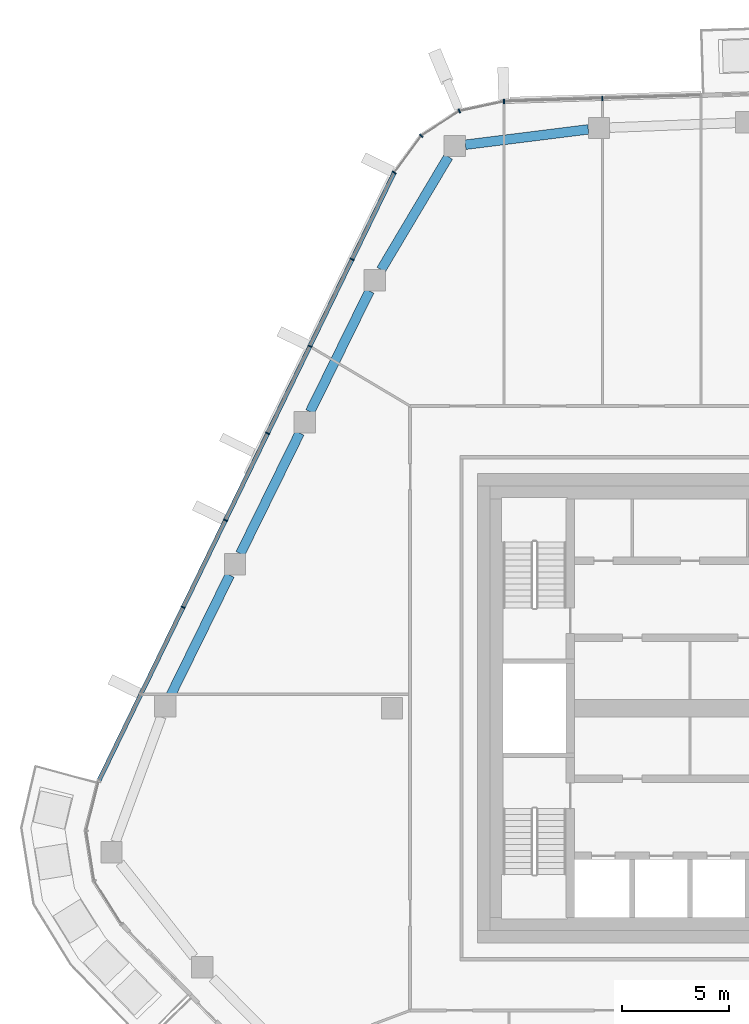
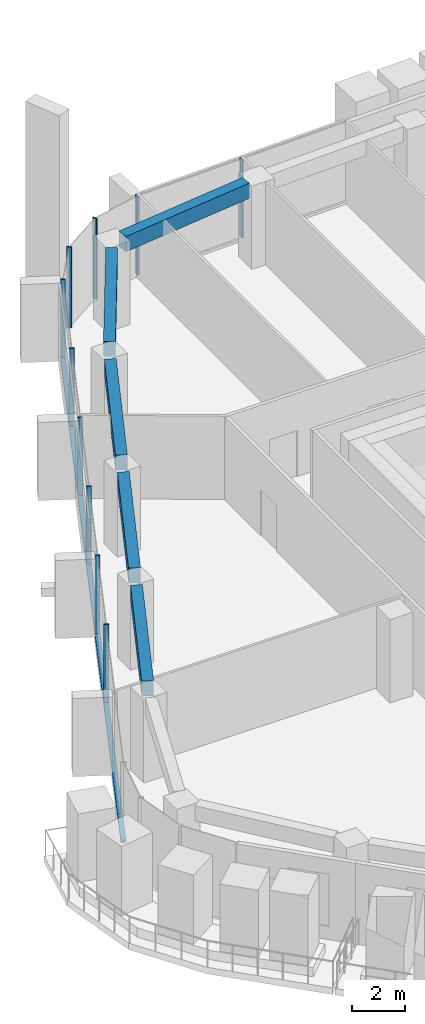
# One storey, part 6 of 24: 11 members, 5 beams, 3 elements without a shape of their own.
"""IFC4 building model written with IfcOpenShell, lengths in metres."""

import ifcopenshell
import ifcopenshell.guid

model = None  # the IFC model being written
_history = None  # IfcOwnerHistory: only IFC2X3 demands one
_inside = {}  # id of a spatial element -> (the spatial element, [elements in it])
_under = {}  # id of a project, library or spatial element -> (it, [spatial elements below it])
_declared = {}  # id of a project -> (the project, [libraries it declares])
_typed = {}  # id of a type object -> (the type object, [elements of that type])
_made_of = {}  # id of a material, layer set ... -> (it, [elements and type objects made of it])


def new_model(schema):
    """Start an empty IFC model of exactly this schema.

    Asked for "IFC4X3", IfcOpenShell would pick the latest addendum, in which some entities
    have other attributes; the version numbers below select the first issue.
    IFC2X3 requires an IfcOwnerHistory on every rooted entity: one is made here for all.
    """
    global model, _history
    if schema == "IFC4X3":
        model = ifcopenshell.file(schema_version=(4, 3, 0, 0))
    else:
        model = ifcopenshell.file(schema=schema)
    _inside.clear()
    _under.clear()
    _declared.clear()
    _typed.clear()
    _made_of.clear()
    _history = None
    if model.schema == "IFC2X3":
        org = make("IfcOrganization", Name="unknown")
        user = make(
            "IfcPersonAndOrganization",
            ThePerson=make("IfcPerson", FamilyName="unknown"),
            TheOrganization=org,
        )
        app = make(
            "IfcApplication",
            ApplicationDeveloper=org,
            Version="unknown",
            ApplicationFullName="unknown",
            ApplicationIdentifier="unknown",
        )
        _history = make(
            "IfcOwnerHistory",
            OwningUser=user,
            OwningApplication=app,
            ChangeAction="ADDED",
            CreationDate=0,
        )
    return model


def make(cls, **values):
    """One entity of the class cls with the attributes given. An attribute that is None is left unset."""
    return model.create_entity(
        cls, **{name: value for name, value in values.items() if value is not None}
    )


def rooted(cls, **values):
    """An entity with a GlobalId (a new one), such as an element, a storey or a relation."""
    return make(cls, GlobalId=ifcopenshell.guid.new(), OwnerHistory=_history, **values)


def si_unit(unit_type, name, prefix=None):
    """IfcSIUnit, for example si_unit("LENGTHUNIT", "METRE", prefix="MILLI")."""
    return make("IfcSIUnit", UnitType=unit_type, Prefix=prefix, Name=name)


def assignment(units):
    """IfcUnitAssignment: the units of a project."""
    return None if units is None else make("IfcUnitAssignment", Units=units)


def point(xyz):
    """IfcCartesianPoint."""
    return None if xyz is None else make("IfcCartesianPoint", Coordinates=xyz)


def direction(xyz):
    """IfcDirection."""
    return None if xyz is None else make("IfcDirection", DirectionRatios=xyz)


def frame(location, z_axis=None, x_axis=None):
    """IfcAxis2Placement3D, a coordinate frame: its origin and axes. An axis left out is left unset."""
    return make(
        "IfcAxis2Placement3D",
        Location=point(location),
        Axis=direction(z_axis),
        RefDirection=direction(x_axis),
    )


def frame_2d(location, x_axis=None):
    """IfcAxis2Placement2D, a coordinate frame in the plane: its origin and x axis."""
    return make(
        "IfcAxis2Placement2D", Location=point(location), RefDirection=direction(x_axis)
    )


def origin():
    """The frame at (0, 0, 0) with its axes left unset."""
    return frame((0.0, 0.0, 0.0))


def origin_2d():
    """The frame at (0, 0) in the plane with its x axis left unset."""
    return frame_2d((0.0, 0.0))


def place(relative_to, where):
    """IfcLocalPlacement: puts the frame where relative to a parent placement (None: the world)."""
    return make(
        "IfcLocalPlacement", PlacementRelTo=relative_to, RelativePlacement=where
    )


def context(
    kind, dimensions, precision=None, world=None, true_north=None, identifier=None
):
    """IfcGeometricRepresentationContext, for example the 3D "Model" context."""
    return make(
        "IfcGeometricRepresentationContext",
        ContextIdentifier=identifier,
        ContextType=kind,
        CoordinateSpaceDimension=dimensions,
        Precision=precision,
        WorldCoordinateSystem=world,
        TrueNorth=true_north,
    )


def subcontext(parent, identifier, kind, view, scale=None):
    """IfcGeometricRepresentationSubContext, for example "Body" below "Model"."""
    return make(
        "IfcGeometricRepresentationSubContext",
        ContextIdentifier=identifier,
        ContextType=kind,
        ParentContext=parent,
        TargetScale=scale,
        TargetView=view,
    )


def project(units=None, contexts=None):
    """IfcProject with its units and contexts."""
    return rooted(
        "IfcProject",
        Name="project",
        RepresentationContexts=contexts,
        UnitsInContext=assignment(units),
    )


def spatial(cls, under=None, at=None, **own):
    """A site, building, storey or space (cls), placed at a placement, below another one or the project."""
    s = rooted(cls, ObjectPlacement=at, **own)
    if under is not None:
        _under.setdefault(under.id(), (under, []))[1].append(s)
    return s


def profile(cls, at=None, kind="AREA", **sizes):
    """A parametric profile (cls). Its sizes go by their IFC names, for example OverallWidth=200.0."""
    return make(cls, ProfileType=kind, Position=at, **sizes)


def rectangle(**sizes):
    """IfcRectangleProfileDef."""
    return profile("IfcRectangleProfileDef", **sizes)


def extrude(swept, where, along, depth):
    """IfcExtrudedAreaSolid: the profile swept, set in the frame where, extruded along a direction by depth."""
    return make(
        "IfcExtrudedAreaSolid",
        SweptArea=swept,
        Position=where,
        ExtrudedDirection=direction(along),
        Depth=depth,
    )


def shape(context_of_items, identifier, shape_type, items):
    """IfcShapeRepresentation: the items that make up one representation, for example the "Body"."""
    return make(
        "IfcShapeRepresentation",
        ContextOfItems=context_of_items,
        RepresentationIdentifier=identifier,
        RepresentationType=shape_type,
        Items=items,
    )


def material(Name=None, Category=None):
    """IfcMaterial."""
    return make("IfcMaterial", Name=Name, Category=Category)


def layer(
    of_material, thickness, ventilated=None, Name=None, Category=None, Priority=None
):
    """IfcMaterialLayer: one layer of a wall or slab, of a material (None: an air gap)."""
    return make(
        "IfcMaterialLayer",
        Material=of_material,
        LayerThickness=thickness,
        IsVentilated=ventilated,
        Name=Name,
        Category=Category,
        Priority=Priority,
    )


def layer_set(layers, Name=None):
    """IfcMaterialLayerSet."""
    return make("IfcMaterialLayerSet", MaterialLayers=layers, LayerSetName=Name)


def material_profile(
    of_material, cross_section, Name=None, Category=None, Priority=None
):
    """IfcMaterialProfile: a cross section and its material."""
    return make(
        "IfcMaterialProfile",
        Name=Name,
        Material=of_material,
        Profile=cross_section,
        Priority=Priority,
        Category=Category,
    )


def profile_set(profiles, Name=None, composite=None):
    """IfcMaterialProfileSet."""
    return make(
        "IfcMaterialProfileSet",
        Name=Name,
        MaterialProfiles=profiles,
        CompositeProfile=composite,
    )


def made_of(thing, what):
    """Note that an element or type object is made of a material, layer set ...; save() writes the relation."""
    if what is not None:
        _made_of.setdefault(what.id(), (what, []))[1].append(thing)
    return thing


def type_object(cls, material=None, **own):
    """A type object (cls), such as IfcWallType, which elements share."""
    return made_of(rooted(cls, **own), material)


def element(
    cls,
    number,
    at=None,
    inside=None,
    cuts=None,
    type_object=None,
    material=None,
    context=None,
    identifier="Body",
    shape_type=None,
    held_by="IfcProductDefinitionShape",
    body=None,
    shapes=None,
    **own,
):
    """One element of the class cls, such as IfcWall. Its Tag is "e" and its number.

    at: its placement. inside: the storey or other place that contains it. cuts: it is an
    opening in that element (IfcRelVoidsElement). A single representation is given by context,
    identifier, shape_type and body (its items); several are given by shapes. held_by: the class
    of the entity that holds the representations. save() writes the other relations.
    """
    e = rooted(cls, Tag="e%d" % number, ObjectPlacement=at, **own)
    if body is not None:
        shapes = [shape(context, identifier, shape_type, body)]
    if shapes is not None:
        e.Representation = make(held_by, Representations=shapes)
    if inside is not None:
        _inside.setdefault(inside.id(), (inside, []))[1].append(e)
    if cuts is not None:
        rooted(
            "IfcRelVoidsElement", RelatingBuildingElement=cuts, RelatedOpeningElement=e
        )
    if type_object is not None:
        _typed.setdefault(type_object.id(), (type_object, []))[1].append(e)
    return made_of(e, material)


def aggregate(whole, parts):
    """IfcRelAggregates: a whole, such as a stair, and the parts it consists of."""
    return rooted("IfcRelAggregates", RelatingObject=whole, RelatedObjects=parts)


def save(model, path):
    """Write the relations noted so far, then the file.

    IfcRelAggregates (storeys below a building ...), IfcRelContainedInSpatialStructure (elements
    in a storey), IfcRelDefinesByType, IfcRelAssociatesMaterial and IfcRelDeclares: one each for
    every whole, place, type object, material and project.
    """
    for whole, parts in _under.values():
        aggregate(whole, parts)
    for where, things in _inside.values():
        rooted(
            "IfcRelContainedInSpatialStructure",
            RelatedElements=things,
            RelatingStructure=where,
        )
    for kind, things in _typed.values():
        rooted("IfcRelDefinesByType", RelatedObjects=things, RelatingType=kind)
    for what, things in _made_of.values():
        rooted("IfcRelAssociatesMaterial", RelatedObjects=things, RelatingMaterial=what)
    for by, libraries in _declared.values():
        rooted("IfcRelDeclares", RelatingContext=by, RelatedDefinitions=libraries)
    model.write(path)


model = new_model("IFC4")

# Units and contexts
model_context = context("Model", 3, precision=1e-05, world=origin(), true_north=direction((0.0, 1.0)))
body_context = subcontext(model_context, "Body", "Model", "MODEL_VIEW")
ifc_project = project(units=[si_unit("LENGTHUNIT", "METRE"), si_unit("AREAUNIT", "SQUARE_METRE"), si_unit("VOLUMEUNIT", "CUBIC_METRE"), si_unit("PLANEANGLEUNIT", "RADIAN"), si_unit("MASSUNIT", "GRAM", prefix="KILO")], contexts=[model_context])

# Site, building, storey
site_placement = place(None, origin())
site = spatial("IfcSite", under=ifc_project, at=site_placement, CompositionType="ELEMENT")
building_placement = place(site_placement, origin())
building = spatial("IfcBuilding", under=site, at=building_placement, Name="Dongbaek Canopy Tower", CompositionType="ELEMENT")
storey_placement = place(building_placement, frame((0.0, 0.0, 344.60009765625)))
storey = spatial("IfcBuildingStorey", under=building, at=storey_placement, Name="L74", CompositionType="ELEMENT", Elevation=344.60009765625)

# Curtain wall, members
ifc_material_1 = material(Name="Aluminium 6063-T6 pale anodised", Category="aluminium")
ifc_layer = layer(ifc_material_1, 0.199951171875)
ifc_layer_set = layer_set([ifc_layer], Name="CW-1 unitised tower curtain wall")
curtain_wall_type = type_object("IfcCurtainWallType", Name="CW-1 unitised tower curtain wall", PredefinedType="NOTDEFINED", material=ifc_layer_set)
curtain_wall_1_placement = place(storey_placement, origin())
curtain_wall_1 = element("IfcCurtainWall", 1, at=curtain_wall_1_placement, inside=storey, type_object=curtain_wall_type, Name="CW-1 curtain wall F1.1", PredefinedType="NOTDEFINED")
ifc_material_2 = material(Name="Aluminium 6063-T6 pale anodised", Category="aluminium")
ifc_material_profile_1 = material_profile(ifc_material_2, rectangle(XDim=0.199951171875, YDim=0.06005859375, at=origin_2d()), Name="CW-1 mullion 60 x 200")
ifc_profile_set_1 = profile_set([ifc_material_profile_1], Name="Aluminium 6063-T6 pale anodised")
member_type_1 = type_object("IfcMemberType", Name="CW-1 mullion 60 x 200", PredefinedType="MULLION", material=ifc_profile_set_1)
member_1_placement = place(storey_placement, frame((-8.1513671875, 28.553466796875, 0.119873046875), z_axis=(0.0, 0.0, 1.0), x_axis=(-0.031003432615, 0.999519278036, 0.0)))
member_1 = element("IfcMember", 2, at=member_1_placement, type_object=member_type_1, Name="CW-1 mullion F1.1.2", PredefinedType="MULLION", context=body_context, shape_type="SweptSolid", body=[
    extrude(rectangle(XDim=0.199951171875, YDim=0.06005859375, at=origin_2d()), origin(), (0.0, 0.0, 1.0), 3.580078125),
])
member_2_placement = place(storey_placement, frame((-12.7568359375, 28.41064453125, 0.119873046875), z_axis=(0.0, 0.0, 1.0), x_axis=(-0.031003432615, 0.999519278036, 0.0)))
member_2 = element("IfcMember", 3, at=member_2_placement, type_object=member_type_1, Name="CW-1 mullion F1.1.3", PredefinedType="MULLION", context=body_context, shape_type="SweptSolid", body=[
    extrude(rectangle(XDim=0.199951171875, YDim=0.06005859375, at=origin_2d()), origin(), (0.0, 0.0, 1.0), 3.580078125),
])
aggregate(curtain_wall_1, [member_1, member_2])

curtain_wall_2_placement = place(storey_placement, origin())
curtain_wall_2 = element("IfcCurtainWall", 4, at=curtain_wall_2_placement, inside=storey, type_object=curtain_wall_type, Name="CW-1 curtain wall K2.1", PredefinedType="NOTDEFINED")
member_3_placement = place(storey_placement, frame((-14.844970703125, 27.96044921875, 0.0), z_axis=(0.0, 0.0, 1.0), x_axis=(-0.383510845246, 0.923536372635, 0.0)))
member_3 = element("IfcMember", 5, at=member_3_placement, type_object=member_type_1, Name="CW-1 mullion K2.1.2", PredefinedType="MULLION", context=body_context, shape_type="SweptSolid", body=[
    extrude(rectangle(XDim=0.199951171875, YDim=0.06005859375, at=origin_2d()), origin(), (0.0, 0.0, 1.0), 3.699951171875),
])
member_4_placement = place(storey_placement, frame((-16.630126953125, 26.803955078125, 0.0), z_axis=(0.0, 0.0, 1.0), x_axis=(-0.68614847194, 0.727461527818, 0.0)))
member_4 = element("IfcMember", 6, at=member_4_placement, type_object=member_type_1, Name="CW-1 mullion K2.1.3", PredefinedType="MULLION", context=body_context, shape_type="SweptSolid", body=[
    extrude(rectangle(XDim=0.199951171875, YDim=0.06005859375, at=origin_2d()), origin(), (0.0, 0.0, 1.0), 3.699951171875),
])
member_5_placement = place(storey_placement, frame((-17.894287109375, 25.08203125, 0.0), z_axis=(0.0, 0.0, 1.0), x_axis=(-0.806066005564, 0.591825645502, 0.0)))
member_5 = element("IfcMember", 7, at=member_5_placement, type_object=member_type_1, Name="CW-1 mullion K2.1.4", PredefinedType="MULLION", context=body_context, shape_type="SweptSolid", body=[
    extrude(rectangle(XDim=0.199951171875, YDim=0.06005859375, at=origin_2d()), origin(), (0.0, 0.0, 1.0), 3.699951171875),
])
aggregate(curtain_wall_2, [member_3, member_4, member_5])

curtain_wall_3_placement = place(storey_placement, origin())
curtain_wall_3 = element("IfcCurtainWall", 8, at=curtain_wall_3_placement, inside=storey, type_object=curtain_wall_type, Name="CW-1 curtain wall F2.1", PredefinedType="NOTDEFINED")
member_6_placement = place(storey_placement, frame((-19.86767578125, 21.017822265625, 0.119873046875), z_axis=(0.0, 0.0, 1.0), x_axis=(-0.899562865898, 0.436791312067, 0.0)))
member_6 = element("IfcMember", 9, at=member_6_placement, type_object=member_type_1, Name="CW-1 mullion F2.1.2", PredefinedType="MULLION", context=body_context, shape_type="SweptSolid", body=[
    extrude(rectangle(XDim=0.199951171875, YDim=0.06005859375, at=origin_2d()), origin(), (0.0, 0.0, 1.0), 3.580078125),
])
member_7_placement = place(storey_placement, frame((-21.844970703125, 16.945556640625, 0.119873046875), z_axis=(0.0, 0.0, 1.0), x_axis=(-0.899562865898, 0.436791312067, 0.0)))
member_7 = element("IfcMember", 10, at=member_7_placement, type_object=member_type_1, Name="CW-1 mullion F2.1.3", PredefinedType="MULLION", context=body_context, shape_type="SweptSolid", body=[
    extrude(rectangle(XDim=0.199951171875, YDim=0.06005859375, at=origin_2d()), origin(), (0.0, 0.0, 1.0), 3.580078125),
])
member_8_placement = place(storey_placement, frame((-23.822265625, 12.873291015625, 0.119873046875), z_axis=(0.0, 0.0, 1.0), x_axis=(-0.899562865898, 0.436791312067, 0.0)))
member_8 = element("IfcMember", 11, at=member_8_placement, type_object=member_type_1, Name="CW-1 mullion F2.1.4", PredefinedType="MULLION", context=body_context, shape_type="SweptSolid", body=[
    extrude(rectangle(XDim=0.199951171875, YDim=0.06005859375, at=origin_2d()), origin(), (0.0, 0.0, 1.0), 3.580078125),
])
member_9_placement = place(storey_placement, frame((-25.7998046875, 8.80078125, 0.119873046875), z_axis=(0.0, 0.0, 1.0), x_axis=(-0.899562865898, 0.436791312067, 0.0)))
member_9 = element("IfcMember", 12, at=member_9_placement, type_object=member_type_1, Name="CW-1 mullion F2.1.5", PredefinedType="MULLION", context=body_context, shape_type="SweptSolid", body=[
    extrude(rectangle(XDim=0.199951171875, YDim=0.06005859375, at=origin_2d()), origin(), (0.0, 0.0, 1.0), 3.580078125),
])
member_10_placement = place(storey_placement, frame((-27.777099609375, 4.728515625, 0.119873046875), z_axis=(0.0, 0.0, 1.0), x_axis=(-0.899562865898, 0.436791312067, 0.0)))
member_10 = element("IfcMember", 13, at=member_10_placement, type_object=member_type_1, Name="CW-1 mullion F2.1.6", PredefinedType="MULLION", context=body_context, shape_type="SweptSolid", body=[
    extrude(rectangle(XDim=0.199951171875, YDim=0.06005859375, at=origin_2d()), origin(), (0.0, 0.0, 1.0), 3.580078125),
])
ifc_material_3 = material(Name="Aluminium 6063-T6 pale anodised", Category="aluminium")
ifc_material_profile_2 = material_profile(ifc_material_3, rectangle(XDim=0.199951171875, YDim=0.1201171875, at=origin_2d()), Name="CW-1 transom 120 x 200")
ifc_profile_set_2 = profile_set([ifc_material_profile_2], Name="Aluminium 6063-T6 pale anodised")
member_type_2 = type_object("IfcMemberType", Name="CW-1 transom 120 x 200", PredefinedType="USERDEFINED", material=ifc_profile_set_2)
member_11_placement = place(storey_placement, frame((-17.894287109375, 25.08203125, 0.059814453125), z_axis=(-0.436788655982, -0.899564155581, 0.0), x_axis=(0.899564155581, -0.436788655982, 0.0)))
member_11 = element("IfcMember", 14, at=member_11_placement, type_object=member_type_2, Name="CW-1 transom F2.1.1", ObjectType="TRANSOM", PredefinedType="USERDEFINED", context=body_context, shape_type="SweptSolid", body=[
    extrude(rectangle(XDim=0.199951171875, YDim=0.1201171875, at=origin_2d()), origin(), (0.0, 0.0, 1.0), 31.669677734375),
])
aggregate(curtain_wall_3, [member_6, member_7, member_8, member_9, member_10, member_11])

# Beams
ifc_material_4 = material(Name="Concrete C60", Category="concrete")
ifc_material_profile_3 = material_profile(ifc_material_4, rectangle(XDim=0.449951171875, YDim=0.699951171875, at=origin_2d()), Name="RC EDGE BEAM 450x700 C60")
ifc_profile_set_3 = profile_set([ifc_material_profile_3], Name="Concrete C60")
beam_type = type_object("IfcBeamType", Name="RC EDGE BEAM 450x700 C60", PredefinedType="BEAM", material=ifc_profile_set_3)
for number, where, z_axis, x_axis, name in (
    (15, (-28.37109375, 0.5859375, 3.469970703125), (0.441293546446, 0.897362806152, 0.0), (-0.897362806152, 0.441293546446, 0.0), "EDGEBEAM:L74:09"),
    (16, (-25.10107421875, 7.235107421875, 3.469970703125), (0.441433810223, 0.897293815421, 0.0), (-0.897293815421, 0.441433810223, 0.0), "EDGEBEAM:L74:10"),
):
    element("IfcBeam", number, at=place(storey_placement, frame(where, z_axis=z_axis, x_axis=x_axis)), inside=storey, type_object=beam_type, Name=name, PredefinedType="BEAM", context=body_context, shape_type="SweptSolid", body=[
        extrude(rectangle(XDim=0.449951171875, YDim=0.699951171875, at=origin_2d()), origin(), (0.0, 0.0, 1.0), 6.29541015625),
    ])
beam_1_placement = place(storey_placement, frame((-21.830078125, 13.884033203125, 3.469970703125), z_axis=(0.441370345445, 0.897325034846, 0.0), x_axis=(-0.897325034846, 0.441370345445, 0.0)))
element("IfcBeam", 17, at=beam_1_placement, inside=storey, type_object=beam_type, Name="EDGEBEAM:L74:11", PredefinedType="BEAM", context=body_context, shape_type="SweptSolid", body=[
    extrude(rectangle(XDim=0.449951171875, YDim=0.699951171875, at=origin_2d()), origin(), (0.0, 0.0, 1.0), 6.294189453125),
])
beam_2_placement = place(storey_placement, frame((-18.50830078125, 20.531982421875, 3.469970703125), z_axis=(0.511535459107, 0.859262168419, 0.0), x_axis=(-0.859262168419, 0.511535459107, 0.0)))
element("IfcBeam", 18, at=beam_2_placement, inside=storey, type_object=beam_type, Name="EDGEBEAM:L74:12", PredefinedType="BEAM", context=body_context, shape_type="SweptSolid", body=[
    extrude(rectangle(XDim=0.449951171875, YDim=0.699951171875, at=origin_2d()), origin(), (0.0, 0.0, 1.0), 6.1552734375),
])
beam_3_placement = place(storey_placement, frame((-14.56201171875, 26.38330078125, 3.469970703125), z_axis=(0.992296006086, 0.123889613389, 0.0), x_axis=(-0.123889613389, 0.992296006086, 0.0)))
element("IfcBeam", 19, at=beam_3_placement, inside=storey, type_object=beam_type, Name="EDGEBEAM:L74:13", PredefinedType="BEAM", context=body_context, shape_type="SweptSolid", body=[
    extrude(rectangle(XDim=0.449951171875, YDim=0.699951171875, at=origin_2d()), origin(), (0.0, 0.0, 1.0), 5.797607421875),
])

save(model, "model.ifc")
